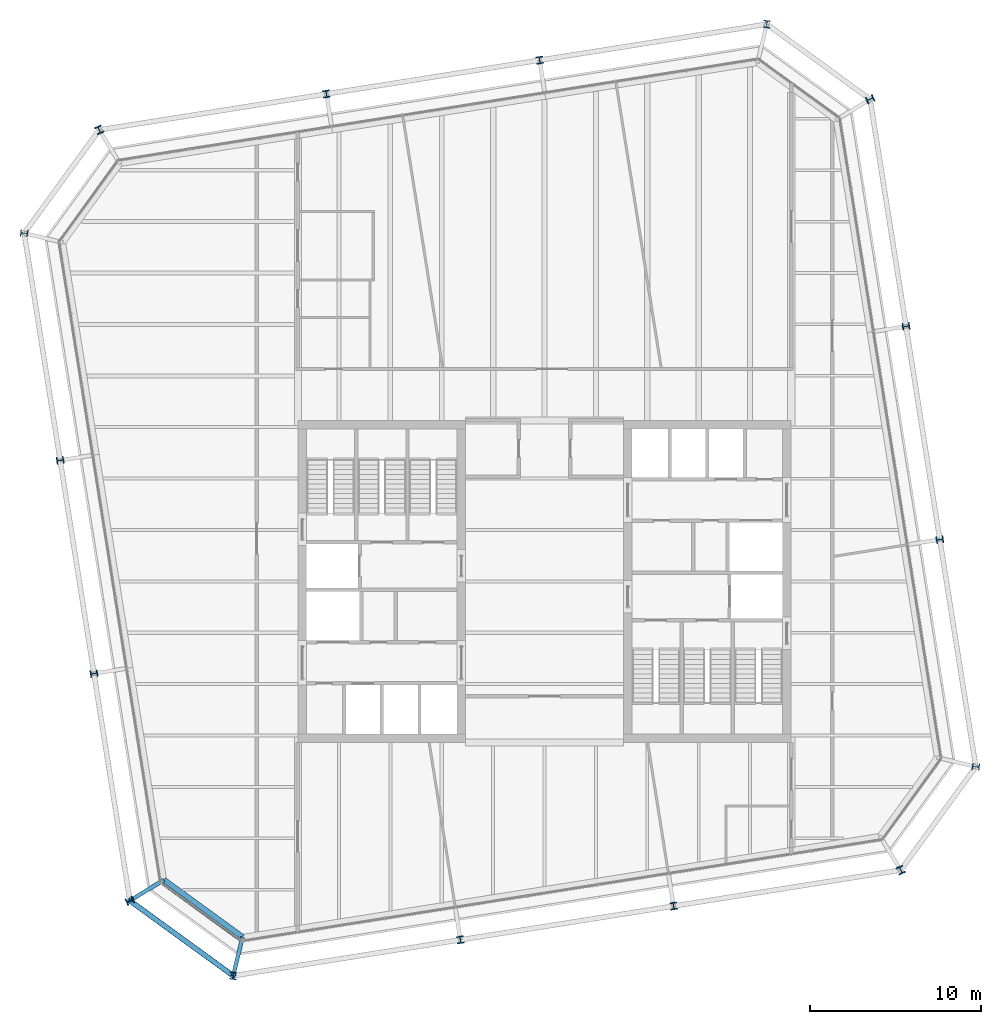
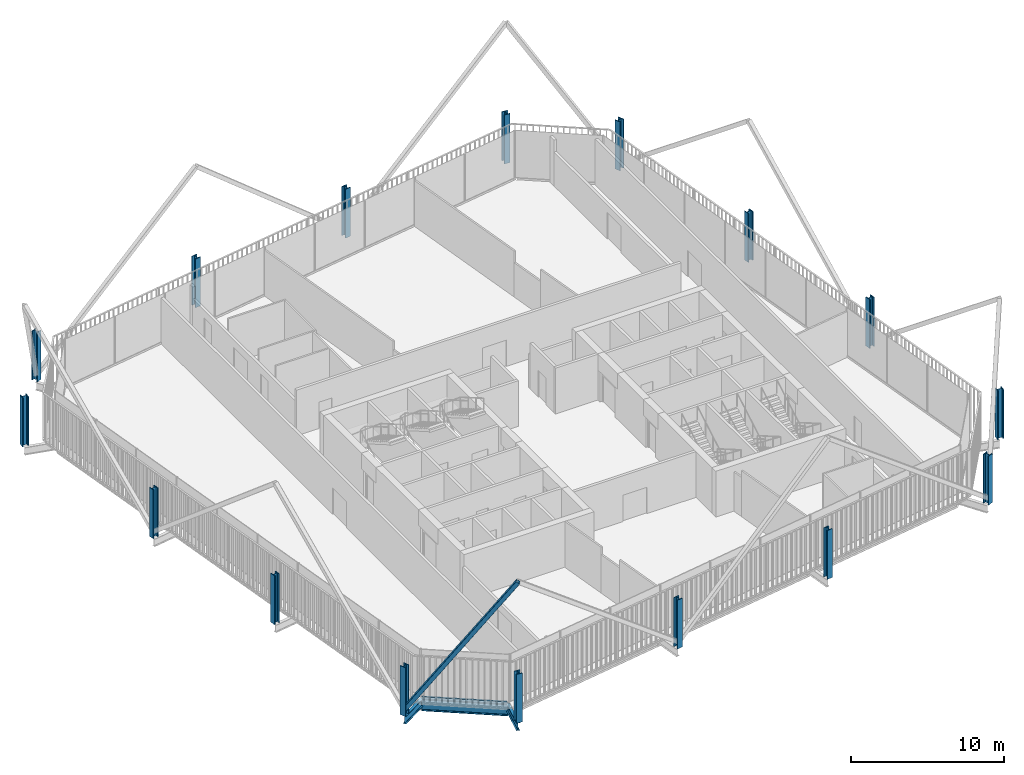
# One storey, part 1 of 21: 16 columns, 3 beams, 2 members, 1 element without a shape of its own.
"""IFC4 building model written with IfcOpenShell, lengths in metres."""

from ifc_helpers import new_model, si_unit, direction, frame, origin, origin_2d, place, context, subcontext, project, spatial, rectangle, hollow_rectangle, i_section, extrude, material, layer, layer_set, material_profile, profile_set, type_object, element, aggregate, save


model = new_model("IFC4")

# Units and contexts
model_context = context("Model", 3, precision=1e-05, world=origin(), true_north=direction((0.0, 1.0)))
body_context = subcontext(model_context, "Body", "Model", "MODEL_VIEW")
ifc_project = project(units=[si_unit("LENGTHUNIT", "METRE"), si_unit("AREAUNIT", "SQUARE_METRE"), si_unit("VOLUMEUNIT", "CUBIC_METRE"), si_unit("PLANEANGLEUNIT", "RADIAN"), si_unit("MASSUNIT", "GRAM", prefix="KILO")], contexts=[model_context])

# Site, building, storey
site_placement = place(None, origin())
site = spatial("IfcSite", under=ifc_project, at=site_placement, CompositionType="ELEMENT")
building_placement = place(site_placement, origin())
building = spatial("IfcBuilding", under=site, at=building_placement, Name="Millrace Tower", CompositionType="ELEMENT")
storey_placement = place(building_placement, frame((0.0, 0.0, 235.89990234375)))
storey = spatial("IfcBuildingStorey", under=building, at=storey_placement, Name="L54", CompositionType="ELEMENT", Elevation=235.89990234375)

# Columns
ifc_material_1 = material(Name="Steel ASTM A913 Grade 65", Category="steel")
ifc_material_profile_1 = material_profile(ifc_material_1, i_section(OverallWidth=0.408935546875, OverallDepth=0.424072265625, WebThickness=0.03271484375, FlangeThickness=0.052490234375, FilletRadius=0.01513671875, at=origin_2d()))
ifc_profile_set_1 = profile_set([ifc_material_profile_1], Name="Steel ASTM A913 Grade 65")
column_type_1 = type_object("IfcColumnType", Name="Exoskeleton column W14x283", PredefinedType="COLUMN", material=ifc_profile_set_1)
for number, where, z_axis, x_axis, name in (
    (1, (-4.91162109375, -20.927734375, 0.0), (0.0, 0.0, 1.0), (0.987688341035, 0.156434462265, 0.0), "COL-D-L54-X03"),
    (2, (7.533203125, -18.956787109375, 0.0), (0.0, 0.0, 1.0), (0.987688341035, 0.156434462265, 0.0), "COL-D-L54-X04"),
    (3, (23.07763671875, 2.4384765625, 0.0), (0.0, 0.0, 1.0), (-0.156434462265, 0.987688341035, 0.0), "COL-D-L54-X07"),
    (4, (21.106689453125, 14.88330078125, 0.0), (0.0, 0.0, 1.0), (-0.156434462265, 0.987688341035, 0.0), "COL-D-L54-X08"),
    (5, (-0.288330078125, 30.427734375, 0.0), (0.0, 0.0, 1.0), (-0.987688341035, -0.156434462265, 0.0), "COL-D-L54-X11"),
    (6, (-12.7333984375, 28.456787109375, 0.0), (0.0, 0.0, 1.0), (-0.987688341035, -0.156434462265, 0.0), "COL-D-L54-X12"),
    (7, (-28.27783203125, 7.0615234375, 0.0), (0.0, 0.0, 1.0), (0.156434462265, -0.987688341035, 0.0), "COL-D-L54-X15"),
    (8, (-26.306640625, -5.38330078125, 0.0), (0.0, 0.0, 1.0), (0.156434462265, -0.987688341035, 0.0), "COL-D-L54-X16"),
):
    element("IfcColumn", number, at=place(storey_placement, frame(where, z_axis=z_axis, x_axis=x_axis)), inside=storey, type_object=column_type_1, Name=name, PredefinedType="COLUMN", context=body_context, shape_type="SweptSolid", body=[
        extrude(i_section(OverallWidth=0.408935546875, OverallDepth=0.424072265625, WebThickness=0.03271484375, FlangeThickness=0.052490234375, FilletRadius=0.01513671875, at=origin_2d()), origin(), (0.0, 0.0, 1.0), 3.900146484375),
    ])
ifc_material_2 = material(Name="Steel ASTM A913 Grade 65", Category="steel")
ifc_material_profile_2 = material_profile(ifc_material_2, i_section(OverallWidth=0.41650390625, OverallDepth=0.444580078125, WebThickness=0.0390625, FlangeThickness=0.062744140625, FilletRadius=0.01513671875, at=origin_2d()))
ifc_profile_set_2 = profile_set([ifc_material_profile_2], Name="Steel ASTM A913 Grade 65")
column_type_2 = type_object("IfcColumnType", Name="Exoskeleton column W14x342", PredefinedType="COLUMN", material=ifc_profile_set_2)
for number, where, z_axis, x_axis, name in (
    (9, (-24.2060546875, -18.646484375, 0.0), (0.0, 0.0, 1.0), (0.418552981224, -0.908192381552, 0.0), "COL-D-L54-X01"),
    (10, (-18.174560546875, -23.0283203125, 0.0), (0.0, 0.0, 1.0), (0.993082267365, -0.117420655103, 0.0), "COL-D-L54-X02"),
    (11, (20.79638671875, -16.85595703125, 0.0), (0.0, 0.0, 1.0), (0.908192381552, 0.418552981224, 0.0), "COL-D-L54-X05"),
    (12, (25.178466796875, -10.82470703125, 0.0), (0.0, 0.0, 1.0), (0.117420655103, 0.993082267365, 0.0), "COL-D-L54-X06"),
    (13, (19.006103515625, 28.146484375, 0.0), (0.0, 0.0, 1.0), (-0.418552981224, 0.908192381552, 0.0), "COL-D-L54-X09"),
    (14, (12.974609375, 32.5283203125, 0.0), (0.0, 0.0, 1.0), (-0.993082267365, 0.117420655103, 0.0), "COL-D-L54-X10"),
    (15, (-25.996337890625, 26.35595703125, 0.0), (0.0, 0.0, 1.0), (-0.908192381552, -0.418552981224, 0.0), "COL-D-L54-X13"),
    (16, (-30.37841796875, 20.32470703125, 0.0), (0.0, 0.0, 1.0), (-0.117420655103, -0.993082267365, 0.0), "COL-D-L54-X14"),
):
    element("IfcColumn", number, at=place(storey_placement, frame(where, z_axis=z_axis, x_axis=x_axis)), inside=storey, type_object=column_type_2, Name=name, PredefinedType="COLUMN", context=body_context, shape_type="SweptSolid", body=[
        extrude(i_section(OverallWidth=0.41650390625, OverallDepth=0.444580078125, WebThickness=0.0390625, FlangeThickness=0.062744140625, FilletRadius=0.01513671875, at=origin_2d()), origin(), (0.0, 0.0, 1.0), 3.900146484375),
    ])

# Curtain wall, member
ifc_material_3 = material(Name="Aluminium and glass", Category="aluminium")
ifc_layer = layer(ifc_material_3, 0.14990234375)
ifc_layer_set = layer_set([ifc_layer], Name="Aluminium and glass")
curtain_wall_type = type_object("IfcCurtainWallType", Name="CW-1 office vision curtain wall", PredefinedType="NOTDEFINED", material=ifc_layer_set)
curtain_wall_placement = place(storey_placement, origin())
curtain_wall = element("IfcCurtainWall", 17, at=curtain_wall_placement, inside=storey, type_object=curtain_wall_type, Name="Curtain wall D-F01 L54", PredefinedType="NOTDEFINED")
ifc_material_4 = material(Name="Aluminium", Category="aluminium")
ifc_material_profile_3 = material_profile(ifc_material_4, rectangle(XDim=0.14990234375, YDim=0.139892578125, at=origin_2d()))
ifc_profile_set_3 = profile_set([ifc_material_profile_3], Name="Aluminium")
member_type_1 = type_object("IfcMemberType", Name="CW-1 office vision curtain wall transom", PredefinedType="USERDEFINED", material=ifc_profile_set_3)
member_1_placement = place(storey_placement, frame((-22.323486328125, -17.634765625, 0.070068359375), z_axis=(0.809033935994, -0.587761933448, 0.0), x_axis=(0.587761933448, 0.809033935994, 0.0)))
member_1 = element("IfcMember", 18, at=member_1_placement, type_object=member_type_1, Name="CW1 transom D-F01.1", ObjectType="TRANSOM", PredefinedType="USERDEFINED", context=body_context, shape_type="SweptSolid", body=[
    extrude(rectangle(XDim=0.14990234375, YDim=0.139892578125, at=origin_2d()), origin(), (0.0, 0.0, 1.0), 5.598388671875),
])
aggregate(curtain_wall, [member_1])

# Member
ifc_material_5 = material(Name="Steel ASTM A500 Grade C", Category="steel")
ifc_material_profile_4 = material_profile(ifc_material_5, hollow_rectangle(XDim=0.3046875, YDim=0.3046875, WallThickness=0.009521484375, InnerFilletRadius=0.004638671875, OuterFilletRadius=0.014404296875, at=origin_2d()))
ifc_profile_set_4 = profile_set([ifc_material_profile_4], Name="Steel ASTM A500 Grade C")
member_type_2 = type_object("IfcMemberType", Name="Exoskeleton brace HSS12x12x3/8", PredefinedType="BRACE", material=ifc_profile_set_4)
member_2_placement = place(storey_placement, frame((-24.2060546875, -18.646484375, 0.400146484375), z_axis=(0.462501499117, -0.336003922532, 0.820483837353), x_axis=(0.587758820843, 0.809036197288, 0.0)))
element("IfcMember", 19, at=member_2_placement, inside=storey, type_object=member_type_2, Name="BRC-D-L54-01", PredefinedType="BRACE", context=body_context, shape_type="SweptSolid", body=[
    extrude(hollow_rectangle(XDim=0.3046875, YDim=0.3046875, WallThickness=0.009521484375, InnerFilletRadius=0.004638671875, OuterFilletRadius=0.014404296875, at=origin_2d()), origin(), (0.0, 0.0, 1.0), 13.041015625),
])

# Beams
ifc_material_6 = material(Name="Steel ASTM A992 Grade 50", Category="steel")
ifc_material_profile_5 = material_profile(ifc_material_6, i_section(OverallWidth=0.23046875, OverallDepth=0.6171875, WebThickness=0.01318359375, FlangeThickness=0.022216796875, FilletRadius=0.012939453125, at=origin_2d()))
ifc_profile_set_5 = profile_set([ifc_material_profile_5], Name="Steel ASTM A992 Grade 50")
beam_type_1 = type_object("IfcBeamType", Name="Link beam W24x94", PredefinedType="BEAM", material=ifc_profile_set_5)
for number, where, z_axis, x_axis, name in (
    (20, (-22.218505859375, -17.428466796875, -0.468505859375), (-0.852631355792, -0.522512938711, 0.0), (0.522512938711, -0.852631355792, 0.0), "LNK-D-L54-S1-01"),
    (21, (-17.63037109375, -20.76171875, -0.468505859375), (-0.233456138164, -0.972367333652, 0.0), (0.972367333652, -0.233456138164, 0.0), "LNK-D-L54-S1-16"),
):
    element("IfcBeam", number, at=place(storey_placement, frame(where, z_axis=z_axis, x_axis=x_axis)), inside=storey, type_object=beam_type_1, Name=name, PredefinedType="BEAM", context=body_context, shape_type="SweptSolid", body=[
        extrude(i_section(OverallWidth=0.23046875, OverallDepth=0.6171875, WebThickness=0.01318359375, FlangeThickness=0.022216796875, FilletRadius=0.012939453125, at=origin_2d()), origin(), (0.0, 0.0, 1.0), 2.3310546875),
    ])
ifc_material_7 = material(Name="Steel ASTM A992 Grade 50", Category="steel")
ifc_material_profile_6 = material_profile(ifc_material_7, i_section(OverallWidth=0.307373046875, OverallDepth=0.927001953125, WebThickness=0.01953125, FlangeThickness=0.031982421875, FilletRadius=0.01904296875, at=origin_2d()))
ifc_profile_set_6 = profile_set([ifc_material_profile_6], Name="Steel ASTM A992 Grade 50")
beam_type_2 = type_object("IfcBeamType", Name="Ring beam short span W36x194", PredefinedType="SPANDREL", material=ifc_profile_set_6)
beam_placement = place(storey_placement, frame((-17.63037109375, -20.76171875, -0.62353515625), z_axis=(-0.809035699289, 0.587759506326, 0.0), x_axis=(-0.587759506326, -0.809035699289, 0.0)))
element("IfcBeam", 22, at=beam_placement, inside=storey, type_object=beam_type_2, Name="RNG-D-L54-S1-16", PredefinedType="SPANDREL", context=body_context, shape_type="SweptSolid", body=[
    extrude(i_section(OverallWidth=0.307373046875, OverallDepth=0.927001953125, WebThickness=0.01953125, FlangeThickness=0.031982421875, FilletRadius=0.01904296875, at=origin_2d()), origin(), (0.0, 0.0, 1.0), 5.671142578125),
])

save(model, "model.ifc")
